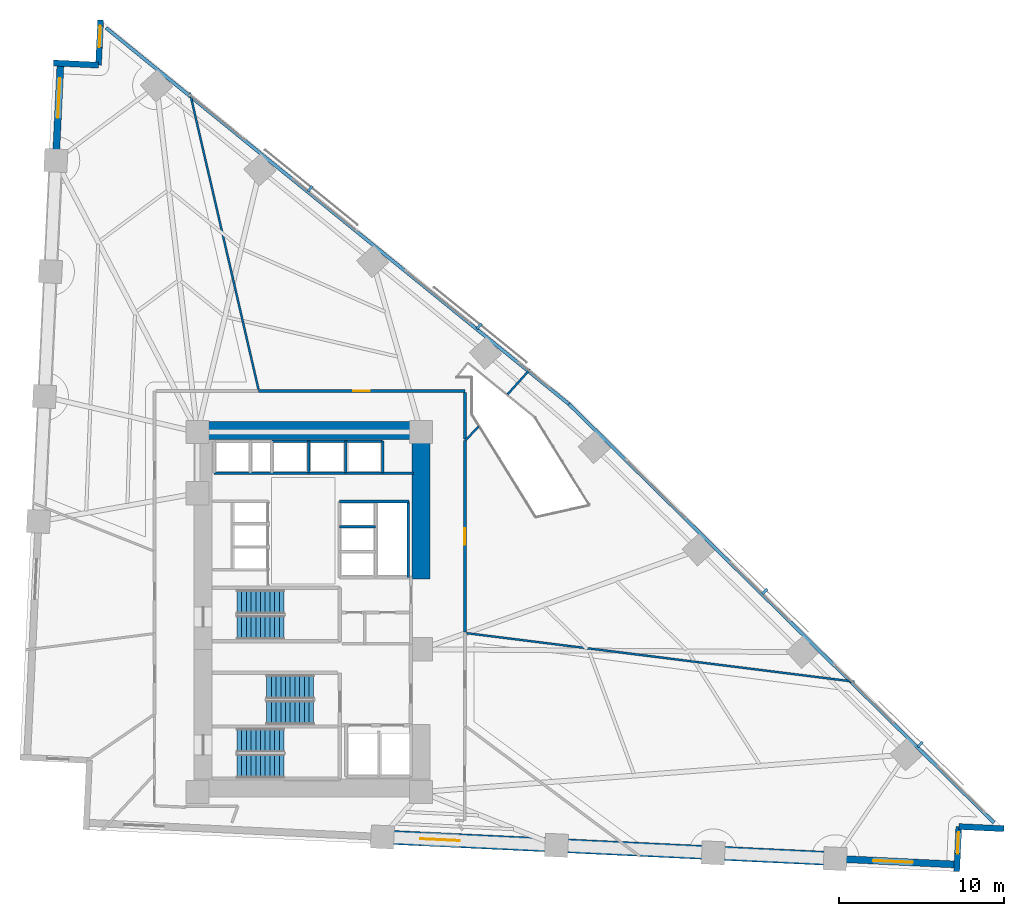
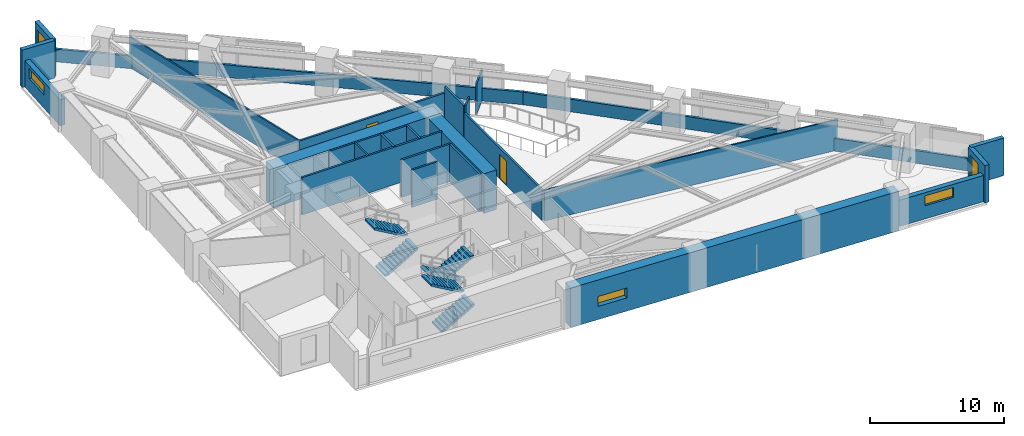
# One storey, part 15 of 17: 26 walls, 6 stair flights, 5 windows, 4 discrete accessories, 2 doors, 7 openings, 3 elements without a shape of their own.
"""IFC4 building model written with IfcOpenShell, lengths in metres."""

from ifc_helpers import new_model, si_unit, direction, frame, frame_2d, origin, origin_2d, place, context, subcontext, project, spatial, polyline, rectangle, outline, extrude, material, layer, layer_set, type_object, element, fill, aggregate, save


model = new_model("IFC4")

# Units and contexts
model_context = context("Model", 3, precision=1e-05, world=origin(), true_north=direction((0.0, 1.0)))
body_context = subcontext(model_context, "Body", "Model", "MODEL_VIEW")
ifc_project = project(units=[si_unit("LENGTHUNIT", "METRE"), si_unit("AREAUNIT", "SQUARE_METRE"), si_unit("VOLUMEUNIT", "CUBIC_METRE"), si_unit("PLANEANGLEUNIT", "RADIAN"), si_unit("MASSUNIT", "GRAM", prefix="KILO")], contexts=[model_context])

# Site, building, storey
site_placement = place(None, origin())
site = spatial("IfcSite", under=ifc_project, at=site_placement, CompositionType="ELEMENT")
building_placement = place(site_placement, origin())
building = spatial("IfcBuilding", under=site, at=building_placement, Name="Narakoshi Arena Tower", CompositionType="ELEMENT")
storey_placement = place(building_placement, frame((0.0, 0.0, 51.89990234375)))
storey = spatial("IfcBuildingStorey", under=building, at=storey_placement, Name="L13", CompositionType="ELEMENT", Elevation=51.89990234375)

# Walls
ifc_material_1 = material(Name="Concrete C60/75", Category="concrete")
ifc_layer_1 = layer(ifc_material_1, 1.10009765625)
ifc_layer_set_1 = layer_set([ifc_layer_1], Name="Concrete C60/75")
wall_type_1 = type_object("IfcWallType", Name="WL-CORE-1100", PredefinedType="SHEAR", material=ifc_layer_set_1)
wall_1_placement = place(storey_placement, frame((71.800048828125, 56.60009765625, -0.199951171875), z_axis=(0.0, 0.0, 1.0), x_axis=(1.0, 0.0, 0.0)))
element("IfcWall", 1, at=wall_1_placement, inside=storey, type_object=wall_type_1, Name="L13 Main Core Shear Wall CW-MN-N", PredefinedType="SHEAR", context=body_context, shape_type="SweptSolid", body=[
    extrude(rectangle(XDim=14.300048828125, YDim=1.10009765625, at=frame_2d((7.14990234375, 0.0))), origin(), (0.0, 0.0, 1.0), 3.60009765625),
])
wall_2_placement = place(storey_placement, frame((85.550048828125, 47.60009765625, -0.199951171875), z_axis=(0.0, 0.0, 1.0), x_axis=(0.0, 1.0, 0.0)))
element("IfcWall", 2, at=wall_2_placement, inside=storey, type_object=wall_type_1, Name="L13 Main Core Shear Wall CW-MN-E", PredefinedType="SHEAR", context=body_context, shape_type="SweptSolid", body=[
    extrude(rectangle(XDim=8.449951171875, YDim=1.10009765625, at=frame_2d((4.22509765625, 0.0))), origin(), (0.0, 0.0, 1.0), 3.60009765625),
])

# Wall, opening, door
ifc_material_2 = material(Name="Gypsum plasterboard fire-rated partition")
ifc_layer_2 = layer(ifc_material_2, 0.1650390625)
ifc_layer_set_2 = layer_set([ifc_layer_2], Name="Gypsum plasterboard fire-rated partition")
wall_type_2 = type_object("IfcWallType", Name="WL-CORR-165", PredefinedType="PARTITIONING", material=ifc_layer_set_2)
wall_3_placement = place(storey_placement, frame((88.20947265625, 44.3984375, 0.0), z_axis=(0.0, 0.0, 1.0), x_axis=(0.0, 1.0, 0.0)))
wall_3 = element("IfcWall", 3, at=wall_3_placement, inside=storey, type_object=wall_type_2, Name="L13 Corridor Partition 07-1", PredefinedType="PARTITIONING", context=body_context, shape_type="SweptSolid", body=[
    extrude(rectangle(XDim=11.58935546875, YDim=0.1650390625, at=frame_2d((5.794677734375, 0.0))), origin(), (0.0, 0.0, 1.0), 2.78515625),
])
opening_1_placement = place(wall_3_placement, frame((5.294677734375, 0.0, 0.0)))
opening_1 = element("IfcOpeningElement", 4, at=opening_1_placement, cuts=wall_3, Name="Opening D-06", PredefinedType="OPENING", context=body_context, shape_type="SweptSolid", body=[
    extrude(rectangle(XDim=1.0, YDim=2.199951171875, at=frame_2d((0.5, 1.10009765625))), frame((0.0, 0.092529296875, 0.0), z_axis=(0.0, -1.0, 0.0), x_axis=(1.0, 0.0, 0.0)), (0.0, 0.0, 1.0), 0.18505859375),
])
ifc_material_3 = material(Name="Stained oak solid-core timber", Category="wood")
door_type = type_object("IfcDoorType", Name="DR-OFF-1000", OperationType="NOTDEFINED", PredefinedType="DOOR", material=ifc_material_3)
door_1_placement = place(opening_1_placement, frame((1.0, 0.0, 0.0), z_axis=(0.0, 0.0, 1.0), x_axis=(-1.0, 0.0, 0.0)))
door_1 = element("IfcDoor", 5, at=door_1_placement, inside=storey, type_object=door_type, Name="DR-L13-020", OperationType="SINGLE_SWING_LEFT", OverallHeight=2.199951171875, OverallWidth=1.0, PredefinedType="DOOR", context=body_context, shape_type="SweptSolid", body=[
    extrude(rectangle(XDim=1.0, YDim=2.199951171875, at=frame_2d((0.5, 1.10009765625))), frame((0.0, 0.02490234375, 0.0), z_axis=(0.0, -1.0, 0.0), x_axis=(1.0, 0.0, 0.0)), (0.0, 0.0, 1.0), 0.050048828125),
])
fill(opening_1, door_1)

wall_4_placement = place(storey_placement, frame((88.20947265625, 58.99755859375, 0.0), z_axis=(0.0, 0.0, 1.0), x_axis=(-1.0, 0.0, 0.0)))
wall_4 = element("IfcWall", 6, at=wall_4_placement, inside=storey, type_object=wall_type_2, Name="L13 Corridor Partition 08-1", PredefinedType="PARTITIONING", context=body_context, shape_type="SweptSolid", body=[
    extrude(rectangle(XDim=12.5166015625, YDim=0.1650390625, at=frame_2d((6.25830078125, 0.0))), origin(), (0.0, 0.0, 1.0), 2.78515625),
])
opening_2_placement = place(wall_4_placement, frame((5.75830078125, 0.0, 0.0)))
opening_2 = element("IfcOpeningElement", 7, at=opening_2_placement, cuts=wall_4, Name="Opening D-06", PredefinedType="OPENING", context=body_context, shape_type="SweptSolid", body=[
    extrude(rectangle(XDim=1.0, YDim=2.199951171875, at=frame_2d((0.5, 1.10009765625))), frame((0.0, 0.092529296875, 0.0), z_axis=(0.0, -1.0, 0.0), x_axis=(1.0, 0.0, 0.0)), (0.0, 0.0, 1.0), 0.18505859375),
])
door_2_placement = place(opening_2_placement, frame((1.0, 0.0, 0.0), z_axis=(0.0, 0.0, 1.0), x_axis=(-1.0, 0.0, 0.0)))
door_2 = element("IfcDoor", 8, at=door_2_placement, inside=storey, type_object=door_type, Name="DR-L13-021", OperationType="SINGLE_SWING_RIGHT", OverallHeight=2.199951171875, OverallWidth=1.0, PredefinedType="DOOR", context=body_context, shape_type="SweptSolid", body=[
    extrude(rectangle(XDim=1.0, YDim=2.199951171875, at=frame_2d((0.5, 1.10009765625))), frame((0.0, 0.02490234375, 0.0), z_axis=(0.0, -1.0, 0.0), x_axis=(1.0, 0.0, 0.0)), (0.0, 0.0, 1.0), 0.050048828125),
])
fill(opening_2, door_2)

# Wall
wall_5_placement = place(storey_placement, frame((88.20947265625, 56.072998046875, 0.0), z_axis=(0.0, 0.0, 1.0), x_axis=(0.0, 1.0, 0.0)))
element("IfcWall", 9, at=wall_5_placement, inside=storey, type_object=wall_type_2, Name="L13 Corridor Partition 08-2", PredefinedType="PARTITIONING", context=body_context, shape_type="SweptSolid", body=[
    extrude(rectangle(XDim=2.830078125, YDim=0.1650390625, at=frame_2d((1.4150390625, 0.0))), origin(), (0.0, 0.0, 1.0), 3.400146484375),
])

# Wall, opening, window
ifc_layer_3 = layer(ifc_material_1, 0.85009765625)
ifc_layer_set_3 = layer_set([ifc_layer_3], Name="Concrete C60/75")
wall_type_3 = type_object("IfcWallType", Name="WL-LEG-850", PredefinedType="SHEAR", material=ifc_layer_set_3)
wall_6_placement = place(storey_placement, frame((83.2119140625, 31.979248046875, -0.199951171875), z_axis=(0.0, 0.0, 1.0), x_axis=(0.998848235141, -0.047981279227, 0.0)))
wall_6 = element("IfcWall", 10, at=wall_6_placement, inside=storey, type_object=wall_type_3, Name="L13 Architectural Concrete Structural Wall LEGA-2", PredefinedType="SHEAR", context=body_context, shape_type="SweptSolid", body=[
    extrude(rectangle(XDim=27.456298828125, YDim=0.85009765625, at=frame_2d((13.72802734375, 0.0))), origin(), (0.0, 0.0, 1.0), 3.60009765625),
])
opening_3_placement = place(wall_6_placement, frame((2.300048828125, 0.0, 1.199951171875)))
opening_3 = element("IfcOpeningElement", 11, at=opening_3_placement, cuts=wall_6, Name="Opening WN-01", PredefinedType="OPENING", context=body_context, shape_type="SweptSolid", body=[
    extrude(rectangle(XDim=2.39990234375, YDim=0.89990234375, at=frame_2d((1.199951171875, 0.449951171875))), frame((0.0, 0.43505859375, 0.0), z_axis=(0.0, -1.0, 0.0), x_axis=(1.0, 0.0, 0.0)), (0.0, 0.0, 1.0), 0.8701171875),
])
ifc_material_4 = material(Name="Bronze-tinted low-E laminated glass", Category="glass")
window_type_1 = type_object("IfcWindowType", Name="WIN-SLT-24x09", PartitioningType="SINGLE_PANEL", PredefinedType="WINDOW", material=ifc_material_4)
window_1_placement = place(opening_3_placement, origin())
window_1 = element("IfcWindow", 12, at=window_1_placement, inside=storey, type_object=window_type_1, Name="L13 LEGA2 Horizontal Slot Window 1", OverallHeight=0.89990234375, OverallWidth=2.39990234375, PartitioningType="SINGLE_PANEL", PredefinedType="WINDOW", context=body_context, shape_type="SweptSolid", body=[
    extrude(rectangle(XDim=2.39990234375, YDim=0.89990234375, at=frame_2d((1.199951171875, 0.449951171875))), frame((0.0, 0.030029296875, 0.0), z_axis=(0.0, -1.0, 0.0), x_axis=(1.0, 0.0, 0.0)), (0.0, 0.0, 1.0), 0.06005859375),
])
fill(opening_3, window_1)

# Walls
ifc_material_5 = material(Name="Precast concrete C45/55", Category="concrete")
ifc_layer_4 = layer(ifc_material_5, 0.25)
ifc_layer_set_4 = layer_set([ifc_layer_4], Name="Precast concrete C45/55")
wall_type_4 = type_object("IfcWallType", Name="WL-PARA-250", PredefinedType="PARAPET", material=ifc_layer_set_4)
wall_7_placement = place(storey_placement, frame((120.254150390625, 32.847900390625, 0.0), z_axis=(0.0, 0.0, 1.0), x_axis=(-0.71254385441, 0.701627576099, 0.0)))
element("IfcWall", 13, at=wall_7_placement, inside=storey, type_object=wall_type_4, Name="L13 Hypotenuse Sill Upstand Parapet 1-01", PredefinedType="PARAPET", context=body_context, shape_type="SweptSolid", body=[
    extrude(rectangle(XDim=36.1416015625, YDim=0.199951171875, at=frame_2d((18.07080078125, 0.0))), origin(), (0.0, 0.0, 1.0), 1.150146484375),
])
wall_8_placement = place(storey_placement, frame((94.51318359375, 58.19580078125, 0.0), z_axis=(0.0, 0.0, 1.0), x_axis=(-0.776001602097, 0.630730935933, 0.0)))
element("IfcWall", 14, at=wall_8_placement, inside=storey, type_object=wall_type_4, Name="L13 Hypotenuse Sill Upstand Parapet 2-01", PredefinedType="PARAPET", context=body_context, shape_type="SweptSolid", body=[
    extrude(rectangle(XDim=36.14794921875, YDim=0.199951171875, at=frame_2d((18.073974609375, 0.0))), origin(), (0.0, 0.0, 1.0), 1.150146484375),
])
ifc_layer_5 = layer(ifc_material_2, 0.125)
ifc_layer_set_5 = layer_set([ifc_layer_5], Name="Gypsum plasterboard fire-rated partition")
wall_type_5 = type_object("IfcWallType", Name="WL-PART-125", PredefinedType="PARTITIONING", material=ifc_layer_set_5)
wall_9_placement = place(storey_placement, frame((88.303955078125, 44.326171875, 0.0), z_axis=(0.0, 0.0, 1.0), x_axis=(0.992246619392, -0.124284537674, 0.0)))
element("IfcWall", 15, at=wall_9_placement, inside=storey, type_object=wall_type_5, Name="L13 Inter-Room Partition 05-07", PredefinedType="PARTITIONING", context=body_context, shape_type="SweptSolid", body=[
    extrude(rectangle(XDim=23.6962890625, YDim=0.125, at=frame_2d((11.84814453125, 0.0))), origin(), (0.0, 0.0, 1.0), 2.78515625),
])
wall_10_placement = place(storey_placement, frame((90.7890625, 58.787109375, 0.0), z_axis=(0.0, 0.0, 1.0), x_axis=(0.66914870458, 0.743128529367, 0.0)))
element("IfcWall", 16, at=wall_10_placement, inside=storey, type_object=wall_type_5, Name="L13 Inter-Room Partition 07-08", PredefinedType="PARTITIONING", context=body_context, shape_type="SweptSolid", body=[
    extrude(rectangle(XDim=2.052734375, YDim=0.125, at=frame_2d((1.0263671875, 0.0))), origin(), (0.0, 0.0, 1.0), 2.78515625),
])
wall_11_placement = place(storey_placement, frame((88.23193359375, 55.98779296875, 0.0), z_axis=(0.0, 0.0, 1.0), x_axis=(0.682551490795, 0.73083750753, 0.0)))
element("IfcWall", 17, at=wall_11_placement, inside=storey, type_object=wall_type_5, Name="L13 Inter-Room Partition 07-08", PredefinedType="PARTITIONING", context=body_context, shape_type="SweptSolid", body=[
    extrude(rectangle(XDim=1.193359375, YDim=0.125, at=frame_2d((0.5966796875, 0.0))), origin(), (0.0, 0.0, 1.0), 3.400146484375),
])
wall_12_placement = place(storey_placement, frame((75.706298828125, 59.092041015625, 0.0), z_axis=(0.0, 0.0, 1.0), x_axis=(-0.225258668812, 0.97429899524, 0.0)))
element("IfcWall", 18, at=wall_12_placement, inside=storey, type_object=wall_type_5, Name="L13 Inter-Room Partition 08-09", PredefinedType="PARTITIONING", context=body_context, shape_type="SweptSolid", body=[
    extrude(rectangle(XDim=18.44775390625, YDim=0.125, at=frame_2d((9.223876953125, 0.0))), origin(), (0.0, 0.0, 1.0), 2.78515625),
])

# Wall, opening, window
ifc_layer_6 = layer(ifc_material_5, 0.419921875)
ifc_layer_set_6 = layer_set([ifc_layer_6], Name="Precast concrete C45/55")
wall_type_6 = type_object("IfcWallType", Name="WL-POD-420", PredefinedType="SOLIDWALL", material=ifc_layer_set_6)
wall_13_placement = place(storey_placement, frame((110.636474609375, 30.661865234375, 0.0), z_axis=(0.0, 0.0, 1.0), x_axis=(0.998847872759, -0.047988822508, 0.0)))
wall_13 = element("IfcWall", 19, at=wall_13_placement, inside=storey, type_object=wall_type_6, Name="L13 Architectural Concrete Facade Wall LEGA-3", PredefinedType="SOLIDWALL", context=body_context, shape_type="SweptSolid", body=[
    extrude(rectangle(XDim=7.39208984375, YDim=0.419921875, at=frame_2d((3.696044921875, 0.0))), origin(), (0.0, 0.0, 1.0), 2.385009765625),
])
opening_4_placement = place(wall_13_placement, frame((2.300048828125, 0.0, 1.199951171875)))
opening_4 = element("IfcOpeningElement", 20, at=opening_4_placement, cuts=wall_13, Name="Opening WN-01", PredefinedType="OPENING", context=body_context, shape_type="SweptSolid", body=[
    extrude(rectangle(XDim=2.39990234375, YDim=0.89990234375, at=frame_2d((1.199951171875, 0.449951171875))), frame((0.0, 0.219970703125, 0.0), z_axis=(0.0, -1.0, 0.0), x_axis=(1.0, 0.0, 0.0)), (0.0, 0.0, 1.0), 0.43994140625),
])
window_2_placement = place(opening_4_placement, origin())
window_2 = element("IfcWindow", 21, at=window_2_placement, inside=storey, type_object=window_type_1, Name="L13 LEGA3 Horizontal Slot Window 1", OverallHeight=0.89990234375, OverallWidth=2.39990234375, PartitioningType="SINGLE_PANEL", PredefinedType="WINDOW", context=body_context, shape_type="SweptSolid", body=[
    extrude(rectangle(XDim=2.39990234375, YDim=0.89990234375, at=frame_2d((1.199951171875, 0.449951171875))), frame((0.0, 0.030029296875, 0.0), z_axis=(0.0, -1.0, 0.0), x_axis=(1.0, 0.0, 0.0)), (0.0, 0.0, 1.0), 0.06005859375),
])
fill(opening_4, window_2)

wall_14_placement = place(storey_placement, frame((63.711181640625, 78.84375, 0.0), z_axis=(0.0, 0.0, 1.0), x_axis=(-0.048007946398, -0.998846953784, 0.0)))
wall_14 = element("IfcWall", 22, at=wall_14_placement, inside=storey, type_object=wall_type_6, Name="L13 Architectural Concrete Facade Wall LEGB-1", PredefinedType="SOLIDWALL", context=body_context, shape_type="SweptSolid", body=[
    extrude(rectangle(XDim=5.89404296875, YDim=0.419921875, at=frame_2d((2.947021484375, 0.0))), origin(), (0.0, 0.0, 1.0), 2.385009765625),
])
opening_5_placement = place(wall_14_placement, frame((0.89990234375, 0.0, 1.199951171875)))
opening_5 = element("IfcOpeningElement", 23, at=opening_5_placement, cuts=wall_14, Name="Opening WN-01", PredefinedType="OPENING", context=body_context, shape_type="SweptSolid", body=[
    extrude(rectangle(XDim=2.39990234375, YDim=0.89990234375, at=frame_2d((1.199951171875, 0.449951171875))), frame((0.0, 0.219970703125, 0.0), z_axis=(0.0, -1.0, 0.0), x_axis=(1.0, 0.0, 0.0)), (0.0, 0.0, 1.0), 0.43994140625),
])
window_3_placement = place(opening_5_placement, origin())
window_3 = element("IfcWindow", 24, at=window_3_placement, inside=storey, type_object=window_type_1, Name="L13 LEGB1 Horizontal Slot Window 1", OverallHeight=0.89990234375, OverallWidth=2.39990234375, PartitioningType="SINGLE_PANEL", PredefinedType="WINDOW", context=body_context, shape_type="SweptSolid", body=[
    extrude(rectangle(XDim=2.39990234375, YDim=0.89990234375, at=frame_2d((1.199951171875, 0.449951171875))), frame((0.0, 0.030029296875, 0.0), z_axis=(0.0, -1.0, 0.0), x_axis=(1.0, 0.0, 0.0)), (0.0, 0.0, 1.0), 0.06005859375),
])
fill(opening_5, window_3)

wall_15_placement = place(storey_placement, frame((117.99951171875, 29.8828125, 0.0), z_axis=(0.0, 0.0, 1.0), x_axis=(0.048024030708, 0.998846180588, 0.0)))
wall_15 = element("IfcWall", 25, at=wall_15_placement, inside=storey, type_object=wall_type_6, Name="L13 Re-Entrant Corner Notch Wall NTE-1", PredefinedType="SOLIDWALL", context=body_context, shape_type="SweptSolid", body=[
    extrude(rectangle(XDim=2.72998046875, YDim=0.360107421875, at=frame_2d((1.364990234375, 0.0))), origin(), (0.0, 0.0, 1.0), 3.400146484375),
])
opening_6_placement = place(wall_15_placement, frame((1.090087890625, 0.0, 0.449951171875)))
opening_6 = element("IfcOpeningElement", 26, at=opening_6_placement, cuts=wall_15, Name="Opening WN-06", PredefinedType="OPENING", context=body_context, shape_type="SweptSolid", body=[
    extrude(rectangle(XDim=1.300048828125, YDim=2.39990234375, at=frame_2d((0.64990234375, 1.199951171875))), frame((0.0, 0.18994140625, 0.0), z_axis=(0.0, -1.0, 0.0), x_axis=(1.0, 0.0, 0.0)), (0.0, 0.0, 1.0), 0.380126953125),
])
window_type_2 = type_object("IfcWindowType", Name="WIN-NTC-16x24", PartitioningType="SINGLE_PANEL", PredefinedType="WINDOW", material=ifc_material_4)
window_4_placement = place(opening_6_placement, origin())
window_4 = element("IfcWindow", 27, at=window_4_placement, inside=storey, type_object=window_type_2, Name="L13 Corner Notch Window NTE", OverallHeight=2.39990234375, OverallWidth=1.300048828125, PartitioningType="SINGLE_PANEL", PredefinedType="WINDOW", context=body_context, shape_type="SweptSolid", body=[
    extrude(rectangle(XDim=1.300048828125, YDim=2.39990234375, at=frame_2d((0.64990234375, 1.199951171875))), frame((0.0, 0.030029296875, 0.0), z_axis=(0.0, -1.0, 0.0), x_axis=(1.0, 0.0, 0.0)), (0.0, 0.0, 1.0), 0.06005859375),
])
fill(opening_6, window_4)

# Wall
wall_16_placement = place(storey_placement, frame((118.130615234375, 32.609619140625, 0.0), z_axis=(0.0, 0.0, 1.0), x_axis=(0.998846180588, -0.048024030708, 0.0)))
element("IfcWall", 28, at=wall_16_placement, inside=storey, type_object=wall_type_6, Name="L13 Re-Entrant Corner Notch Wall NTE-2", PredefinedType="SOLIDWALL", context=body_context, shape_type="SweptSolid", body=[
    extrude(rectangle(XDim=2.72998046875, YDim=0.360107421875, at=frame_2d((1.364990234375, 0.0))), origin(), (0.0, 0.0, 1.0), 3.400146484375),
])

# Wall, opening, window
wall_17_placement = place(storey_placement, frame((66.144287109375, 81.4599609375, 0.0), z_axis=(0.0, 0.0, 1.0), x_axis=(-0.047934806162, -0.998850466465, 0.0)))
wall_17 = element("IfcWall", 29, at=wall_17_placement, inside=storey, type_object=wall_type_6, Name="L13 Re-Entrant Corner Notch Wall NTN-1", PredefinedType="SOLIDWALL", context=body_context, shape_type="SweptSolid", body=[
    extrude(rectangle(XDim=2.72998046875, YDim=0.360107421875, at=frame_2d((1.364990234375, 0.0))), origin(), (0.0, 0.0, 1.0), 3.400146484375),
])
opening_7_placement = place(wall_17_placement, frame((0.340087890625, 0.0, 0.449951171875)))
opening_7 = element("IfcOpeningElement", 30, at=opening_7_placement, cuts=wall_17, Name="Opening WN-06", PredefinedType="OPENING", context=body_context, shape_type="SweptSolid", body=[
    extrude(rectangle(XDim=1.300048828125, YDim=2.39990234375, at=frame_2d((0.64990234375, 1.199951171875))), frame((0.0, 0.18994140625, 0.0), z_axis=(0.0, -1.0, 0.0), x_axis=(1.0, 0.0, 0.0)), (0.0, 0.0, 1.0), 0.380126953125),
])
window_5_placement = place(opening_7_placement, origin())
window_5 = element("IfcWindow", 31, at=window_5_placement, inside=storey, type_object=window_type_2, Name="L13 Corner Notch Window NTN", OverallHeight=2.39990234375, OverallWidth=1.300048828125, PartitioningType="SINGLE_PANEL", PredefinedType="WINDOW", context=body_context, shape_type="SweptSolid", body=[
    extrude(rectangle(XDim=1.300048828125, YDim=2.39990234375, at=frame_2d((0.64990234375, 1.199951171875))), frame((0.0, 0.030029296875, 0.0), z_axis=(0.0, -1.0, 0.0), x_axis=(1.0, 0.0, 0.0)), (0.0, 0.0, 1.0), 0.06005859375),
])
fill(opening_7, window_5)

# Walls
wall_18_placement = place(storey_placement, frame((66.013427734375, 78.733154296875, 0.0), z_axis=(0.0, 0.0, 1.0), x_axis=(-0.998846180588, 0.048024030708, 0.0)))
element("IfcWall", 32, at=wall_18_placement, inside=storey, type_object=wall_type_6, Name="L13 Re-Entrant Corner Notch Wall NTN-2", PredefinedType="SOLIDWALL", context=body_context, shape_type="SweptSolid", body=[
    extrude(rectangle(XDim=2.72998046875, YDim=0.360107421875, at=frame_2d((1.364990234375, 0.0))), origin(), (0.0, 0.0, 1.0), 3.400146484375),
])
ifc_material_6 = material(Name="Concrete C40/50", Category="concrete")
ifc_layer_7 = layer(ifc_material_6, 0.280029296875)
ifc_layer_set_7 = layer_set([ifc_layer_7], Name="Concrete C40/50")
wall_type_7 = type_object("IfcWallType", Name="WL-RISER-280", PredefinedType="PLUMBINGWALL", material=ifc_layer_set_7)
wall_19_placement = place(storey_placement, frame((80.60009765625, 50.780029296875, 0.0), z_axis=(0.0, 0.0, 1.0), x_axis=(1.0, 0.0, 0.0)))
element("IfcWall", 33, at=wall_19_placement, inside=storey, type_object=wall_type_7, Name="L13 Core Wall MR-D2", PredefinedType="PLUMBINGWALL", context=body_context, shape_type="SweptSolid", body=[
    extrude(rectangle(XDim=2.199951171875, YDim=0.14990234375, at=frame_2d((1.10009765625, 0.0))), origin(), (0.0, 0.0, 1.0), 3.400146484375),
])
for number, where, z_axis, x_axis, name in (
    (34, (78.75, 54.02001953125, 0.0), (0.0, 0.0, 1.0), (0.0, 1.0, 0.0), "L13 Core Wall HR-D1"),
    (35, (81.0, 54.02001953125, 0.0), (0.0, 0.0, 1.0), (0.0, 1.0, 0.0), "L13 Core Wall HR-D2"),
):
    element("IfcWall", number, at=place(storey_placement, frame(where, z_axis=z_axis, x_axis=x_axis)), inside=storey, type_object=wall_type_7, Name=name, PredefinedType="PLUMBINGWALL", context=body_context, shape_type="SweptSolid", body=[
        extrude(rectangle(XDim=1.9599609375, YDim=0.14990234375, at=frame_2d((0.97998046875, 0.0))), origin(), (0.0, 0.0, 1.0), 3.400146484375),
    ])
ifc_material_7 = material(Name="Concrete C50/60", Category="concrete")
ifc_layer_8 = layer(ifc_material_7, 0.35009765625)
ifc_layer_set_8 = layer_set([ifc_layer_8], Name="Concrete C50/60")
wall_type_8 = type_object("IfcWallType", Name="WL-SHAFT-350", PredefinedType="SOLIDWALL", material=ifc_layer_set_8)
wall_20_placement = place(storey_placement, frame((80.60009765625, 52.300048828125, 0.0), z_axis=(0.0, 0.0, 1.0), x_axis=(1.0, 0.0, 0.0)))
element("IfcWall", 36, at=wall_20_placement, inside=storey, type_object=wall_type_8, Name="L13 Core Wall MR-N", PredefinedType="SOLIDWALL", context=body_context, shape_type="SweptSolid", body=[
    extrude(rectangle(XDim=4.219970703125, YDim=0.159912109375, at=frame_2d((2.10986328125, 0.0))), origin(), (0.0, 0.0, 1.0), 3.400146484375),
])
wall_21_placement = place(storey_placement, frame((84.780029296875, 47.699951171875, 0.0), z_axis=(0.0, 0.0, 1.0), x_axis=(0.0, 1.0, 0.0)))
element("IfcWall", 37, at=wall_21_placement, inside=storey, type_object=wall_type_8, Name="L13 Core Wall MR-E2", PredefinedType="SOLIDWALL", context=body_context, shape_type="SweptSolid", body=[
    extrude(rectangle(XDim=4.60009765625, YDim=0.159912109375, at=frame_2d((2.300048828125, 0.0))), origin(), (0.0, 0.0, 1.0), 3.400146484375),
])
wall_22_placement = place(storey_placement, frame((73.02001953125, 54.02001953125, 0.0), z_axis=(0.0, 0.0, 1.0), x_axis=(1.0, 0.0, 0.0)))
element("IfcWall", 38, at=wall_22_placement, inside=storey, type_object=wall_type_8, Name="L13 Core Wall NSHF-S", PredefinedType="SOLIDWALL", context=body_context, shape_type="SweptSolid", body=[
    extrude(rectangle(XDim=12.080078125, YDim=0.159912109375, at=frame_2d((6.0400390625, 0.0))), origin(), (0.0, 0.0, 1.0), 3.400146484375),
])
wall_23_placement = place(storey_placement, frame((83.219970703125, 54.02001953125, 0.0), z_axis=(0.0, 0.0, 1.0), x_axis=(0.0, 1.0, 0.0)))
element("IfcWall", 39, at=wall_23_placement, inside=storey, type_object=wall_type_8, Name="L13 Core Wall HR-E", PredefinedType="SOLIDWALL", context=body_context, shape_type="SweptSolid", body=[
    extrude(rectangle(XDim=1.9599609375, YDim=0.14990234375, at=frame_2d((0.97998046875, 0.0))), origin(), (0.0, 0.0, 1.0), 3.400146484375),
])
wall_24_placement = place(storey_placement, frame((76.52001953125, 55.9599609375, 0.0), z_axis=(0.0, 0.0, 1.0), x_axis=(1.0, 0.0, 0.0)))
element("IfcWall", 40, at=wall_24_placement, inside=storey, type_object=wall_type_8, Name="L13 Core Wall HR-N", PredefinedType="SOLIDWALL", context=body_context, shape_type="SweptSolid", body=[
    extrude(rectangle(XDim=6.699951171875, YDim=0.14990234375, at=frame_2d((3.35009765625, 0.0))), origin(), (0.0, 0.0, 1.0), 3.400146484375),
])

# Stair, stair flights
ifc_material_8 = material(Name="Concrete C45/55", Category="concrete")
stair_type = type_object("IfcStairType", Name="STR-CORE-360", PredefinedType="TWO_STRAIGHT_RUN_STAIR", material=ifc_material_8)
stair_1_placement = place(storey_placement, origin())
stair_1 = element("IfcStair", 41, at=stair_1_placement, inside=storey, type_object=stair_type, Name="L13 Core Escape Stair ST1", PredefinedType="TWO_STRAIGHT_RUN_STAIR")
stair_flight_type = type_object("IfcStairFlightType", Name="FLT-145-160", PredefinedType="STRAIGHT", material=ifc_material_5)
stair_flight_1_placement = place(storey_placement, frame((74.39990234375, 36.27490234375, 0.0), z_axis=(0.0, 0.0, 1.0), x_axis=(1.0, 0.0, 0.0)))
stair_flight_1 = element("IfcStairFlight", 42, at=stair_flight_1_placement, type_object=stair_flight_type, Name="ST1 flight 1", NumberOfRisers=11, NumberOfTreads=10, PredefinedType="STRAIGHT", RiserHeight=0.163636364, TreadLength=0.285, context=body_context, shape_type="SweptSolid", body=[
    extrude(outline(polyline([(0.0, 0.0), (0.0, 0.16357421875), (0.284912109375, 0.16357421875), (0.284912109375, 0.327392578125), (0.570068359375, 0.327392578125), (0.570068359375, 0.490966796875), (0.85498046875, 0.490966796875), (0.85498046875, 0.654541015625), (1.139892578125, 0.654541015625), (1.139892578125, 0.818115234375), (1.425048828125, 0.818115234375), (1.425048828125, 0.98193359375), (1.7099609375, 0.98193359375), (1.7099609375, 1.1455078125), (1.9951171875, 1.1455078125), (1.9951171875, 1.30908203125), (2.280029296875, 1.30908203125), (2.280029296875, 1.47265625), (2.56494140625, 1.47265625), (2.56494140625, 1.636474609375), (2.85009765625, 1.636474609375), (2.85009765625, 1.800048828125), (2.85009765625, 1.463623046875), (0.301025390625, 0.0), (0.0, 0.0)])), frame((0.0, 0.72509765625, 0.0), z_axis=(0.0, -1.0, 0.0), x_axis=(1.0, 0.0, 0.0)), (0.0, 0.0, 1.0), 1.449951171875),
])
stair_flight_2_placement = place(storey_placement, frame((77.25, 37.824951171875, 1.800048828125), z_axis=(0.0, 0.0, 1.0), x_axis=(-1.0, 0.0, 0.0)))
stair_flight_2 = element("IfcStairFlight", 43, at=stair_flight_2_placement, type_object=stair_flight_type, Name="ST1 flight 2", NumberOfRisers=11, NumberOfTreads=10, PredefinedType="STRAIGHT", RiserHeight=0.163636364, TreadLength=0.285, context=body_context, shape_type="SweptSolid", body=[
    extrude(outline(polyline([(0.0, 0.0), (0.0, 0.16357421875), (0.284912109375, 0.16357421875), (0.284912109375, 0.327392578125), (0.570068359375, 0.327392578125), (0.570068359375, 0.490966796875), (0.85498046875, 0.490966796875), (0.85498046875, 0.654541015625), (1.139892578125, 0.654541015625), (1.139892578125, 0.818115234375), (1.425048828125, 0.818115234375), (1.425048828125, 0.98193359375), (1.7099609375, 0.98193359375), (1.7099609375, 1.1455078125), (1.9951171875, 1.1455078125), (1.9951171875, 1.30908203125), (2.280029296875, 1.30908203125), (2.280029296875, 1.47265625), (2.56494140625, 1.47265625), (2.56494140625, 1.636474609375), (2.85009765625, 1.636474609375), (2.85009765625, 1.800048828125), (2.85009765625, 1.463623046875), (0.301025390625, 0.0), (0.0, 0.0)])), frame((0.0, 0.72509765625, 0.0), z_axis=(0.0, -1.0, 0.0), x_axis=(1.0, 0.0, 0.0)), (0.0, 0.0, 1.0), 1.449951171875),
])
aggregate(stair_1, [stair_flight_1, stair_flight_2])

stair_2_placement = place(storey_placement, origin())
stair_2 = element("IfcStair", 44, at=stair_2_placement, inside=storey, type_object=stair_type, Name="L13 Core Escape Stair ST2", PredefinedType="TWO_STRAIGHT_RUN_STAIR")
stair_flight_3_placement = place(storey_placement, frame((79.050048828125, 41.074951171875, 0.0), z_axis=(0.0, 0.0, 1.0), x_axis=(-1.0, 0.0, 0.0)))
stair_flight_3 = element("IfcStairFlight", 45, at=stair_flight_3_placement, type_object=stair_flight_type, Name="ST2 flight 1", NumberOfRisers=11, NumberOfTreads=10, PredefinedType="STRAIGHT", RiserHeight=0.163636364, TreadLength=0.285, context=body_context, shape_type="SweptSolid", body=[
    extrude(outline(polyline([(0.0, 0.0), (0.0, 0.16357421875), (0.284912109375, 0.16357421875), (0.284912109375, 0.327392578125), (0.570068359375, 0.327392578125), (0.570068359375, 0.490966796875), (0.85498046875, 0.490966796875), (0.85498046875, 0.654541015625), (1.139892578125, 0.654541015625), (1.139892578125, 0.818115234375), (1.425048828125, 0.818115234375), (1.425048828125, 0.98193359375), (1.7099609375, 0.98193359375), (1.7099609375, 1.1455078125), (1.9951171875, 1.1455078125), (1.9951171875, 1.30908203125), (2.280029296875, 1.30908203125), (2.280029296875, 1.47265625), (2.56494140625, 1.47265625), (2.56494140625, 1.636474609375), (2.85009765625, 1.636474609375), (2.85009765625, 1.800048828125), (2.85009765625, 1.463623046875), (0.301025390625, 0.0), (0.0, 0.0)])), frame((0.0, 0.72509765625, 0.0), z_axis=(0.0, -1.0, 0.0), x_axis=(1.0, 0.0, 0.0)), (0.0, 0.0, 1.0), 1.449951171875),
])
stair_flight_4_placement = place(storey_placement, frame((76.199951171875, 39.52490234375, 1.800048828125), z_axis=(0.0, 0.0, 1.0), x_axis=(1.0, 0.0, 0.0)))
stair_flight_4 = element("IfcStairFlight", 46, at=stair_flight_4_placement, type_object=stair_flight_type, Name="ST2 flight 2", NumberOfRisers=11, NumberOfTreads=10, PredefinedType="STRAIGHT", RiserHeight=0.163636364, TreadLength=0.285, context=body_context, shape_type="SweptSolid", body=[
    extrude(outline(polyline([(0.0, 0.0), (0.0, 0.16357421875), (0.284912109375, 0.16357421875), (0.284912109375, 0.327392578125), (0.570068359375, 0.327392578125), (0.570068359375, 0.490966796875), (0.85498046875, 0.490966796875), (0.85498046875, 0.654541015625), (1.139892578125, 0.654541015625), (1.139892578125, 0.818115234375), (1.425048828125, 0.818115234375), (1.425048828125, 0.98193359375), (1.7099609375, 0.98193359375), (1.7099609375, 1.1455078125), (1.9951171875, 1.1455078125), (1.9951171875, 1.30908203125), (2.280029296875, 1.30908203125), (2.280029296875, 1.47265625), (2.56494140625, 1.47265625), (2.56494140625, 1.636474609375), (2.85009765625, 1.636474609375), (2.85009765625, 1.800048828125), (2.85009765625, 1.463623046875), (0.301025390625, 0.0), (0.0, 0.0)])), frame((0.0, 0.72509765625, 0.0), z_axis=(0.0, -1.0, 0.0), x_axis=(1.0, 0.0, 0.0)), (0.0, 0.0, 1.0), 1.449951171875),
])
aggregate(stair_2, [stair_flight_3, stair_flight_4])

stair_3_placement = place(storey_placement, origin())
stair_3 = element("IfcStair", 47, at=stair_3_placement, inside=storey, type_object=stair_type, Name="L13 Core Escape Stair ST3", PredefinedType="TWO_STRAIGHT_RUN_STAIR")
stair_flight_5_placement = place(storey_placement, frame((74.39990234375, 44.675048828125, 0.0), z_axis=(0.0, 0.0, 1.0), x_axis=(1.0, 0.0, 0.0)))
stair_flight_5 = element("IfcStairFlight", 48, at=stair_flight_5_placement, type_object=stair_flight_type, Name="ST3 flight 1", NumberOfRisers=11, NumberOfTreads=10, PredefinedType="STRAIGHT", RiserHeight=0.163636364, TreadLength=0.285, context=body_context, shape_type="SweptSolid", body=[
    extrude(outline(polyline([(0.0, 0.0), (0.0, 0.16357421875), (0.284912109375, 0.16357421875), (0.284912109375, 0.327392578125), (0.570068359375, 0.327392578125), (0.570068359375, 0.490966796875), (0.85498046875, 0.490966796875), (0.85498046875, 0.654541015625), (1.139892578125, 0.654541015625), (1.139892578125, 0.818115234375), (1.425048828125, 0.818115234375), (1.425048828125, 0.98193359375), (1.7099609375, 0.98193359375), (1.7099609375, 1.1455078125), (1.9951171875, 1.1455078125), (1.9951171875, 1.30908203125), (2.280029296875, 1.30908203125), (2.280029296875, 1.47265625), (2.56494140625, 1.47265625), (2.56494140625, 1.636474609375), (2.85009765625, 1.636474609375), (2.85009765625, 1.800048828125), (2.85009765625, 1.463623046875), (0.301025390625, 0.0), (0.0, 0.0)])), frame((0.0, 0.72509765625, 0.0), z_axis=(0.0, -1.0, 0.0), x_axis=(1.0, 0.0, 0.0)), (0.0, 0.0, 1.0), 1.449951171875),
])
stair_flight_6_placement = place(storey_placement, frame((77.25, 46.22509765625, 1.800048828125), z_axis=(0.0, 0.0, 1.0), x_axis=(-1.0, 0.0, 0.0)))
stair_flight_6 = element("IfcStairFlight", 49, at=stair_flight_6_placement, type_object=stair_flight_type, Name="ST3 flight 2", NumberOfRisers=11, NumberOfTreads=10, PredefinedType="STRAIGHT", RiserHeight=0.163636364, TreadLength=0.285, context=body_context, shape_type="SweptSolid", body=[
    extrude(outline(polyline([(0.0, 0.0), (0.0, 0.16357421875), (0.284912109375, 0.16357421875), (0.284912109375, 0.327392578125), (0.570068359375, 0.327392578125), (0.570068359375, 0.490966796875), (0.85498046875, 0.490966796875), (0.85498046875, 0.654541015625), (1.139892578125, 0.654541015625), (1.139892578125, 0.818115234375), (1.425048828125, 0.818115234375), (1.425048828125, 0.98193359375), (1.7099609375, 0.98193359375), (1.7099609375, 1.1455078125), (1.9951171875, 1.1455078125), (1.9951171875, 1.30908203125), (2.280029296875, 1.30908203125), (2.280029296875, 1.47265625), (2.56494140625, 1.47265625), (2.56494140625, 1.636474609375), (2.85009765625, 1.636474609375), (2.85009765625, 1.800048828125), (2.85009765625, 1.463623046875), (0.301025390625, 0.0), (0.0, 0.0)])), frame((0.0, 0.72509765625, 0.0), z_axis=(0.0, -1.0, 0.0), x_axis=(1.0, 0.0, 0.0)), (0.0, 0.0, 1.0), 1.449951171875),
])
aggregate(stair_3, [stair_flight_5, stair_flight_6])

# Discrete accessories
ifc_material_9 = material(Name="Structural steel S355J2", Category="steel")
discrete_accessory_type = type_object("IfcDiscreteAccessoryType", Name="ACC-BRK-SCR", PredefinedType="BRACKET", material=ifc_material_9)
for number, where, z_axis, x_axis, name in (
    (50, (115.783203125, 37.58740234375, -0.080078125), (0.0, 0.0, 1.0), (-0.712540559713, 0.70163092204, 0.0), "L13 Solar Screen Support Bracket SHD-L13-SCR1-1"),
    (51, (106.377685546875, 46.848876953125, -0.080078125), (0.0, 0.0, 1.0), (-0.712540559713, 0.70163092204, 0.0), "L13 Solar Screen Support Bracket SHD-L13-SCR1-2"),
    (52, (89.077392578125, 62.923095703125, -0.080078125), (0.0, 0.0, 1.0), (-0.776002375698, 0.630729984154, 0.0), "L13 Solar Screen Support Bracket SHD-L13-SCR2-1"),
    (53, (78.833984375, 71.248779296875, -0.080078125), (0.0, 0.0, 1.0), (-0.776002375698, 0.630729984154, 0.0), "L13 Solar Screen Support Bracket SHD-L13-SCR2-2"),
):
    element("IfcDiscreteAccessory", number, at=place(storey_placement, frame(where, z_axis=z_axis, x_axis=x_axis)), inside=storey, type_object=discrete_accessory_type, Name=name, PredefinedType="BRACKET", context=body_context, shape_type="SweptSolid", body=[
        extrude(rectangle(XDim=0.159912109375, YDim=0.425048828125, at=origin_2d()), origin(), (0.0, 0.0, 1.0), 0.199951171875),
    ])

save(model, "model.ifc")
